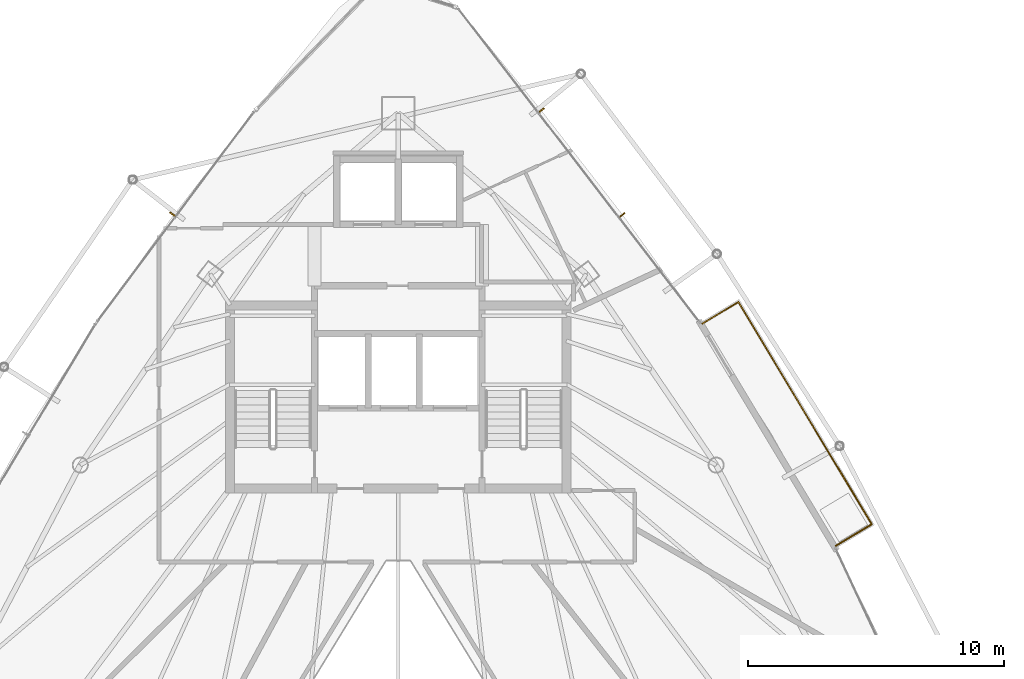
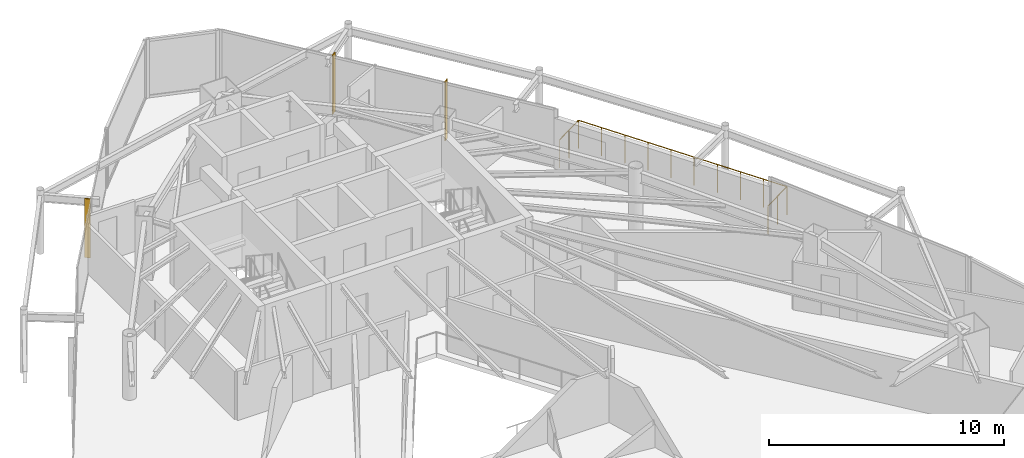
# One storey, part 33 of 33: 3 shading devices, 1 railing.
"""IFC4 building model written with IfcOpenShell, lengths in metres."""

from ifc_helpers import new_model, si_unit, direction, frame, origin, origin_2d, place, context, subcontext, project, spatial, rectangle, circle, extrude, material, layer, layer_set, type_object, element, save


model = new_model("IFC4")

# Units and contexts
model_context = context("Model", 3, precision=1e-05, world=origin(), true_north=direction((0.0, 1.0)))
body_context = subcontext(model_context, "Body", "Model", "MODEL_VIEW")
ifc_project = project(units=[si_unit("LENGTHUNIT", "METRE"), si_unit("AREAUNIT", "SQUARE_METRE"), si_unit("VOLUMEUNIT", "CUBIC_METRE"), si_unit("PLANEANGLEUNIT", "RADIAN"), si_unit("MASSUNIT", "GRAM", prefix="KILO")], contexts=[model_context])

# Site, building, storey
site_placement = place(None, origin())
site = spatial("IfcSite", under=ifc_project, at=site_placement, CompositionType="ELEMENT")
building_placement = place(site_placement, origin())
building = spatial("IfcBuilding", under=site, at=building_placement, Name="Orvanel Arch Residences", CompositionType="ELEMENT")
storey_placement = place(building_placement, frame((0.0, 0.0, 196.39990234375)))
storey = spatial("IfcBuildingStorey", under=building, at=storey_placement, Name="L55", CompositionType="ELEMENT", Elevation=196.39990234375)

# Shading devices
ifc_material = material(Name="Bronze-anodised aluminium AA6063-T6", Category="aluminium")
ifc_layer = layer(ifc_material, 0.050048828125)
ifc_layer_set = layer_set([ifc_layer], Name="Bronze-anodised aluminium AA6063-T6")
shading_device_type = type_object("IfcShadingDeviceType", Name="FIN-BRZ-260", PredefinedType="USERDEFINED", material=ifc_layer_set)
for number, where, z_axis, x_axis, name in (
    (1, (24.174072265625, 37.449951171875, 0.0), (0.0, 0.0, 1.0), (-0.800731370949, 0.599023598516, 0.0), "L55 Anodised Bronze Mullion FIN 01"),
    (2, (41.758056640625, 37.4189453125, 0.0), (0.0, 0.0, 1.0), (0.792289643355, 0.610145163901, 0.0), "L55 Anodised Bronze Mullion FIN 01"),
    (3, (38.60400390625, 41.514892578125, 0.0), (0.0, 0.0, 1.0), (0.792289643355, 0.610145163901, 0.0), "L55 Anodised Bronze Mullion FIN 02"),
):
    element("IfcShadingDevice", number, at=place(storey_placement, frame(where, z_axis=z_axis, x_axis=x_axis)), inside=storey, type_object=shading_device_type, Name=name, ObjectType="FIN", PredefinedType="USERDEFINED", context=body_context, shape_type="SweptSolid", body=[
        extrude(rectangle(XDim=0.260009765625, YDim=0.050048828125, at=origin_2d()), origin(), (0.0, 0.0, 1.0), 3.06005859375),
    ])

# Railing
railing_type = type_object("IfcRailingType", Name="RL-BAL-1480", PredefinedType="BALUSTRADE", material=ifc_material)
railing_placement = place(storey_placement, frame((50.10888671875, 24.48291015625, 0.0)))
element("IfcRailing", 4, at=railing_placement, inside=storey, type_object=railing_type, Name="L55 Balcony Perimeter Guardrail Face 3", PredefinedType="BALUSTRADE", context=body_context, shape_type="SweptSolid", body=[
    extrude(circle(Radius=0.02392578125, at=origin_2d()), frame((0.001220703125, 0.000732421875, 1.4560546875), z_axis=(0.857584807373, 0.514342588322, 0.0), x_axis=(-0.514342588322, 0.857584807373, 0.0)), (0.0, 0.0, 1.0), 1.637939453125),
    extrude(circle(Radius=0.02392578125, at=origin_2d()), frame((1.406494140625, 0.84521484375, 1.4560546875), z_axis=(-0.514481587658, 0.857501426215, 0.0), x_axis=(-0.857501426215, -0.514481587658, 0.0)), (0.0, 0.0, 1.0), 10.133544921875),
    extrude(circle(Radius=0.02392578125, at=origin_2d()), frame((-3.80908203125, 9.535400390625, 1.4560546875), z_axis=(-0.857387817543, -0.514670895164, 0.0), x_axis=(0.514670895164, -0.857387817543, 0.0)), (0.0, 0.0, 1.0), 1.636962890625),
    extrude(circle(Radius=0.02099609375, at=origin_2d()), origin(), (0.0, 0.0, 1.0), 1.429931640625),
    extrude(circle(Radius=0.02099609375, at=origin_2d()), frame((0.70361328125, 0.421875, 0.0)), (0.0, 0.0, 1.0), 1.429931640625),
    extrude(circle(Radius=0.02099609375, at=origin_2d()), frame((1.4072265625, 0.843994140625, 0.0)), (0.0, 0.0, 1.0), 1.429931640625),
    extrude(circle(Radius=0.02099609375, at=origin_2d()), frame((0.827880859375, 1.809814453125, 0.0)), (0.0, 0.0, 1.0), 1.429931640625),
    extrude(circle(Radius=0.02099609375, at=origin_2d()), frame((0.248291015625, 2.775634765625, 0.0)), (0.0, 0.0, 1.0), 1.429931640625),
    extrude(circle(Radius=0.02099609375, at=origin_2d()), frame((-0.3310546875, 3.741455078125, 0.0)), (0.0, 0.0, 1.0), 1.429931640625),
    extrude(circle(Radius=0.02099609375, at=origin_2d()), frame((-0.91064453125, 4.707275390625, 0.0)), (0.0, 0.0, 1.0), 1.429931640625),
    extrude(circle(Radius=0.02099609375, at=origin_2d()), frame((-1.489990234375, 5.6728515625, 0.0)), (0.0, 0.0, 1.0), 1.429931640625),
    extrude(circle(Radius=0.02099609375, at=origin_2d()), frame((-2.069580078125, 6.638671875, 0.0)), (0.0, 0.0, 1.0), 1.429931640625),
    extrude(circle(Radius=0.02099609375, at=origin_2d()), frame((-2.64892578125, 7.6044921875, 0.0)), (0.0, 0.0, 1.0), 1.429931640625),
    extrude(circle(Radius=0.02099609375, at=origin_2d()), frame((-3.228515625, 8.5703125, 0.0)), (0.0, 0.0, 1.0), 1.429931640625),
    extrude(circle(Radius=0.02099609375, at=origin_2d()), frame((-3.807861328125, 9.5361328125, 0.0)), (0.0, 0.0, 1.0), 1.429931640625),
    extrude(circle(Radius=0.02099609375, at=origin_2d()), frame((-4.5107421875, 9.1142578125, 0.0)), (0.0, 0.0, 1.0), 1.429931640625),
    extrude(circle(Radius=0.02099609375, at=origin_2d()), frame((-5.2138671875, 8.692138671875, 0.0)), (0.0, 0.0, 1.0), 1.429931640625),
])

save(model, "model.ifc")
